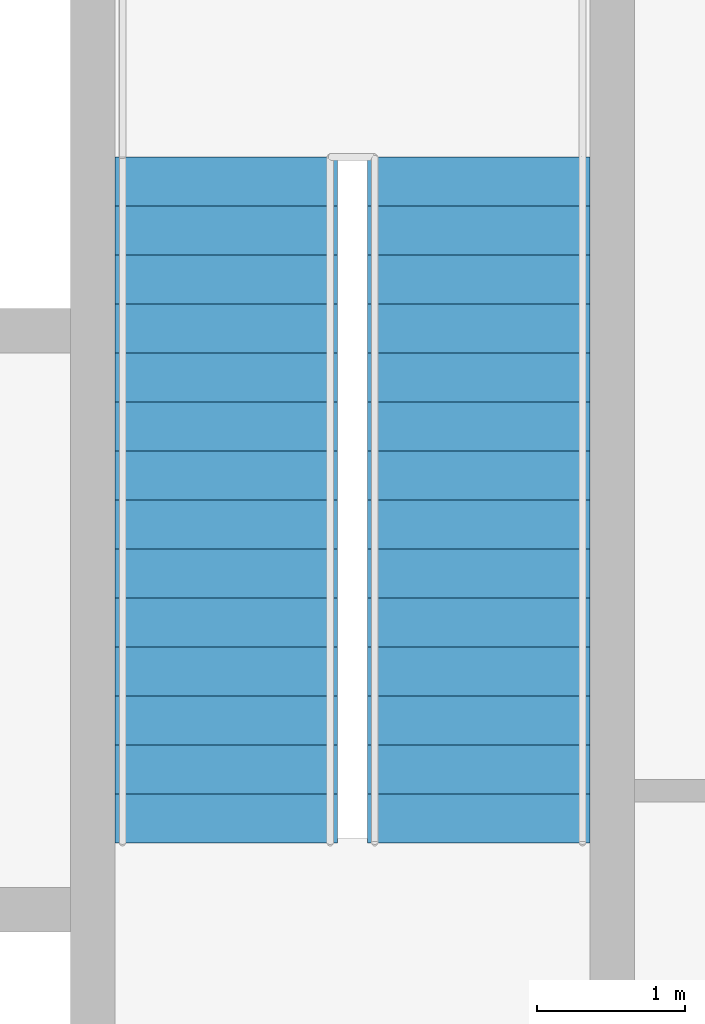
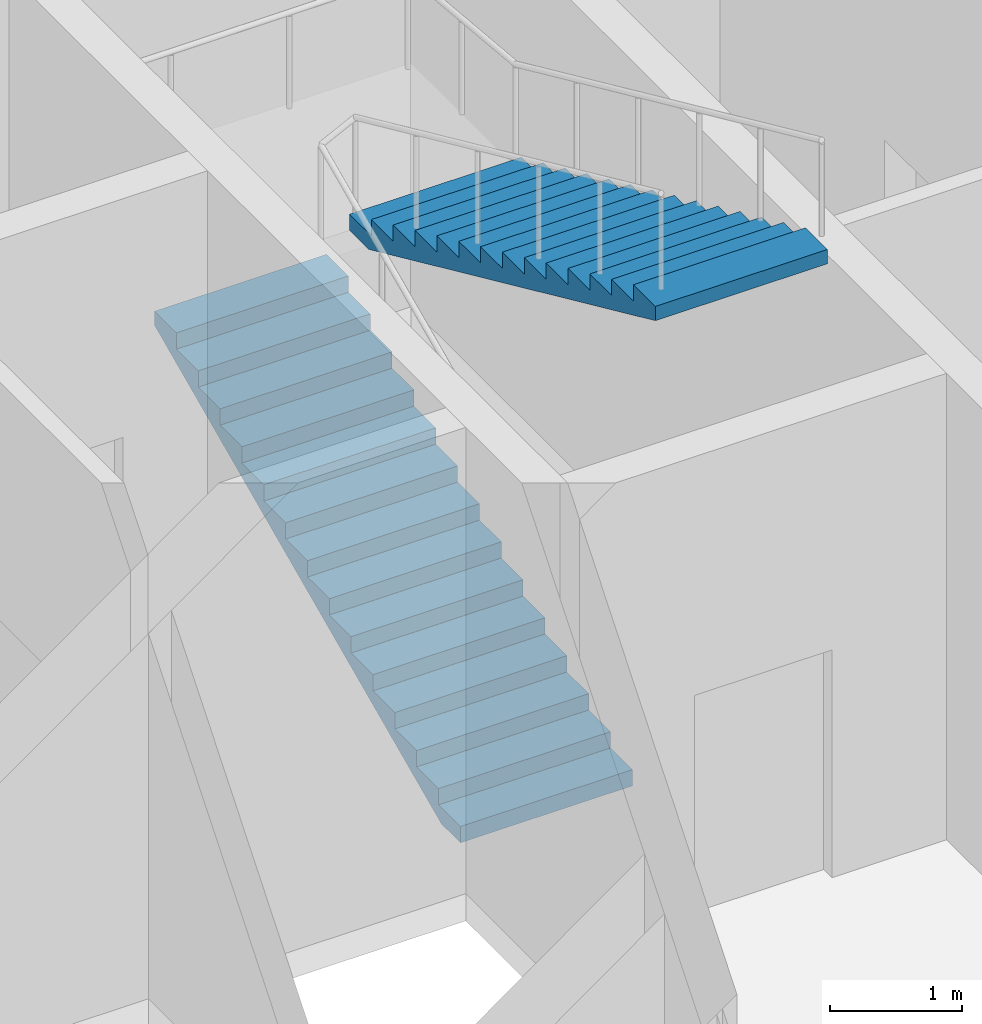
# One storey, part 13 of 14: 2 stair flights, 1 element without a shape of its own.
"""IFC4 building model written with IfcOpenShell, lengths in metres."""

from ifc_helpers import new_model, si_unit, direction, frame, origin, place, context, subcontext, project, spatial, polygons, material, type_object, element, aggregate, save


model = new_model("IFC4")

# Units and contexts
model_context = context("Model", 3, precision=1e-05, world=origin(), true_north=direction((0.0, 1.0)))
body_context = subcontext(model_context, "Body", "Model", "MODEL_VIEW")
ifc_project = project(units=[si_unit("LENGTHUNIT", "METRE"), si_unit("AREAUNIT", "SQUARE_METRE"), si_unit("VOLUMEUNIT", "CUBIC_METRE"), si_unit("PLANEANGLEUNIT", "RADIAN"), si_unit("MASSUNIT", "GRAM", prefix="KILO")], contexts=[model_context])

# Site, building, storey
site_placement = place(None, origin())
site = spatial("IfcSite", under=ifc_project, at=site_placement, CompositionType="ELEMENT")
building_placement = place(site_placement, origin())
building = spatial("IfcBuilding", under=site, at=building_placement, Name="Njiva Tower", CompositionType="ELEMENT")
storey_placement = place(building_placement, frame((0.0, 0.0, 28.8)))
storey = spatial("IfcBuildingStorey", under=building, at=storey_placement, Name="L05", CompositionType="ELEMENT", Elevation=28.8)

# Stair, stair flights
ifc_material = material(Name="Concrete C40/50", Category="concrete")
stair_type = type_object("IfcStairType", Name="ST4 Exit stair 1500", PredefinedType="HALF_TURN_STAIR", material=ifc_material)
stair_placement = place(storey_placement, origin())
stair = element("IfcStair", 1, at=stair_placement, inside=storey, type_object=stair_type, Name="Stair B", PredefinedType="HALF_TURN_STAIR")
stair_flight_type = type_object("IfcStairFlightType", Name="FL4 Stair flight 1500", PredefinedType="STRAIGHT", material=ifc_material)
stair_flight_1_placement = place(storey_placement, frame((11.75, 11.1, 0.0), z_axis=(0.0, 0.0, 1.0), x_axis=(0.0, 1.0, 0.0)))
stair_flight_1 = element("IfcStairFlight", 2, at=stair_flight_1_placement, type_object=stair_flight_type, Name="ST-B flight 1", NumberOfRisers=15, NumberOfTreads=14, PredefinedType="STRAIGHT", RiserHeight=0.15, TreadLength=0.33, context=body_context, shape_type="Tessellation", body=[
    polygons([(0.0, 0.75, 0.0), (0.0, 0.375, 0.0), (0.0, 0.0, 0.0), (0.0, -0.375, 0.0), (0.0, -0.75, 0.0), (0.0, 0.75, 0.15), (0.0, 0.375, 0.15), (0.0, 0.0, 0.15), (0.0, -0.375, 0.15), (0.0, -0.75, 0.15), (0.33, 0.75, 0.15), (0.33, 0.375, 0.15), (0.33, 0.0, 0.15), (0.33, -0.375, 0.15), (0.33, -0.75, 0.15), (0.33, 0.75, 0.3), (0.33, 0.375, 0.3), (0.33, 0.0, 0.3), (0.33, -0.375, 0.3), (0.33, -0.75, 0.3), (0.66, 0.75, 0.3), (0.66, 0.375, 0.3), (0.66, 0.0, 0.3), (0.66, -0.375, 0.3), (0.66, -0.75, 0.3), (0.66, 0.75, 0.45), (0.66, 0.375, 0.45), (0.66, 0.0, 0.45), (0.66, -0.375, 0.45), (0.66, -0.75, 0.45), (0.99, 0.75, 0.45), (0.99, 0.375, 0.45), (0.99, 0.0, 0.45), (0.99, -0.375, 0.45), (0.99, -0.75, 0.45), (0.99, 0.75, 0.6), (0.99, 0.375, 0.6), (0.99, 0.0, 0.6), (0.99, -0.375, 0.6), (0.99, -0.75, 0.6), (1.32, 0.75, 0.6), (1.32, 0.375, 0.6), (1.32, 0.0, 0.6), (1.32, -0.375, 0.6), (1.32, -0.75, 0.6), (1.32, 0.75, 0.75), (1.32, 0.375, 0.75), (1.32, 0.0, 0.75), (1.32, -0.375, 0.75), (1.32, -0.75, 0.75), (1.65, 0.75, 0.75), (1.65, 0.375, 0.75), (1.65, 0.0, 0.75), (1.65, -0.375, 0.75), (1.65, -0.75, 0.75), (1.65, 0.75, 0.9), (1.65, 0.375, 0.9), (1.65, 0.0, 0.9), (1.65, -0.375, 0.9), (1.65, -0.75, 0.9), (1.98, 0.75, 0.9), (1.98, 0.375, 0.9), (1.98, 0.0, 0.9), (1.98, -0.375, 0.9), (1.98, -0.75, 0.9), (1.98, 0.75, 1.05), (1.98, 0.375, 1.05), (1.98, 0.0, 1.05), (1.98, -0.375, 1.05), (1.98, -0.75, 1.05), (2.31, 0.75, 1.05), (2.31, 0.375, 1.05), (2.31, 0.0, 1.05), (2.31, -0.375, 1.05), (2.31, -0.75, 1.05), (2.31, 0.75, 1.2), (2.31, 0.375, 1.2), (2.31, 0.0, 1.2), (2.31, -0.375, 1.2), (2.31, -0.75, 1.2), (2.64, 0.75, 1.2), (2.64, 0.375, 1.2), (2.64, 0.0, 1.2), (2.64, -0.375, 1.2), (2.64, -0.75, 1.2), (2.64, 0.75, 1.35), (2.64, 0.375, 1.35), (2.64, 0.0, 1.35), (2.64, -0.375, 1.35), (2.64, -0.75, 1.35), (2.97, 0.75, 1.35), (2.97, 0.375, 1.35), (2.97, 0.0, 1.35), (2.97, -0.375, 1.35), (2.97, -0.75, 1.35), (2.97, 0.75, 1.5), (2.97, 0.375, 1.5), (2.97, 0.0, 1.5), (2.97, -0.375, 1.5), (2.97, -0.75, 1.5), (3.3, 0.75, 1.5), (3.3, 0.375, 1.5), (3.3, 0.0, 1.5), (3.3, -0.375, 1.5), (3.3, -0.75, 1.5), (3.3, 0.75, 1.65), (3.3, 0.375, 1.65), (3.3, 0.0, 1.65), (3.3, -0.375, 1.65), (3.3, -0.75, 1.65), (3.63, 0.75, 1.65), (3.63, 0.375, 1.65), (3.63, 0.0, 1.65), (3.63, -0.375, 1.65), (3.63, -0.75, 1.65), (3.63, 0.75, 1.8), (3.63, 0.375, 1.8), (3.63, 0.0, 1.8), (3.63, -0.375, 1.8), (3.63, -0.75, 1.8), (3.96, 0.75, 1.8), (3.96, 0.375, 1.8), (3.96, 0.0, 1.8), (3.96, -0.375, 1.8), (3.96, -0.75, 1.8), (3.96, 0.75, 1.95), (3.96, 0.375, 1.95), (3.96, 0.0, 1.95), (3.96, -0.375, 1.95), (3.96, -0.75, 1.95), (4.29, 0.75, 1.95), (4.29, 0.375, 1.95), (4.29, 0.0, 1.95), (4.29, -0.375, 1.95), (4.29, -0.75, 1.95), (4.29, 0.75, 2.1), (4.29, 0.375, 2.1), (4.29, 0.0, 2.1), (4.29, -0.375, 2.1), (4.29, -0.75, 2.1), (4.62, 0.75, 2.1), (4.62, 0.375, 2.1), (4.62, 0.0, 2.1), (4.62, -0.375, 2.1), (4.62, -0.75, 2.1), (4.62, 0.75, 1.9682), (4.62, 0.375, 1.9682), (4.62, 0.0, 1.9682), (4.62, -0.375, 1.9682), (4.62, -0.75, 1.9682), (0.29, 0.75, 0.0), (0.29, 0.375, 0.0), (0.29, 0.0, 0.0), (0.29, -0.375, 0.0), (0.29, -0.75, 0.0)], [[[1, 6, 11, 16, 21, 26, 31, 36, 41, 46, 51, 56, 61, 66, 71, 76, 81, 86, 91, 96, 101, 106, 111, 116, 121, 126, 131, 136, 141, 146, 151]], [[155, 150, 145, 140, 135, 130, 125, 120, 115, 110, 105, 100, 95, 90, 85, 80, 75, 70, 65, 60, 55, 50, 45, 40, 35, 30, 25, 20, 15, 10, 5]], [[6, 1, 2, 7]], [[7, 2, 3, 8]], [[8, 3, 4, 9]], [[9, 4, 5, 10]], [[11, 6, 7, 12]], [[12, 7, 8, 13]], [[13, 8, 9, 14]], [[14, 9, 10, 15]], [[16, 11, 12, 17]], [[17, 12, 13, 18]], [[18, 13, 14, 19]], [[19, 14, 15, 20]], [[21, 16, 17, 22]], [[22, 17, 18, 23]], [[23, 18, 19, 24]], [[24, 19, 20, 25]], [[26, 21, 22, 27]], [[27, 22, 23, 28]], [[28, 23, 24, 29]], [[29, 24, 25, 30]], [[31, 26, 27, 32]], [[32, 27, 28, 33]], [[33, 28, 29, 34]], [[34, 29, 30, 35]], [[36, 31, 32, 37]], [[37, 32, 33, 38]], [[38, 33, 34, 39]], [[39, 34, 35, 40]], [[41, 36, 37, 42]], [[42, 37, 38, 43]], [[43, 38, 39, 44]], [[44, 39, 40, 45]], [[46, 41, 42, 47]], [[47, 42, 43, 48]], [[48, 43, 44, 49]], [[49, 44, 45, 50]], [[51, 46, 47, 52]], [[52, 47, 48, 53]], [[53, 48, 49, 54]], [[54, 49, 50, 55]], [[56, 51, 52, 57]], [[57, 52, 53, 58]], [[58, 53, 54, 59]], [[59, 54, 55, 60]], [[61, 56, 57, 62]], [[62, 57, 58, 63]], [[63, 58, 59, 64]], [[64, 59, 60, 65]], [[66, 61, 62, 67]], [[67, 62, 63, 68]], [[68, 63, 64, 69]], [[69, 64, 65, 70]], [[71, 66, 67, 72]], [[72, 67, 68, 73]], [[73, 68, 69, 74]], [[74, 69, 70, 75]], [[76, 71, 72, 77]], [[77, 72, 73, 78]], [[78, 73, 74, 79]], [[79, 74, 75, 80]], [[81, 76, 77, 82]], [[82, 77, 78, 83]], [[83, 78, 79, 84]], [[84, 79, 80, 85]], [[86, 81, 82, 87]], [[87, 82, 83, 88]], [[88, 83, 84, 89]], [[89, 84, 85, 90]], [[91, 86, 87, 92]], [[92, 87, 88, 93]], [[93, 88, 89, 94]], [[94, 89, 90, 95]], [[96, 91, 92, 97]], [[97, 92, 93, 98]], [[98, 93, 94, 99]], [[99, 94, 95, 100]], [[101, 96, 97, 102]], [[102, 97, 98, 103]], [[103, 98, 99, 104]], [[104, 99, 100, 105]], [[106, 101, 102, 107]], [[107, 102, 103, 108]], [[108, 103, 104, 109]], [[109, 104, 105, 110]], [[111, 106, 107, 112]], [[112, 107, 108, 113]], [[113, 108, 109, 114]], [[114, 109, 110, 115]], [[116, 111, 112, 117]], [[117, 112, 113, 118]], [[118, 113, 114, 119]], [[119, 114, 115, 120]], [[121, 116, 117, 122]], [[122, 117, 118, 123]], [[123, 118, 119, 124]], [[124, 119, 120, 125]], [[126, 121, 122, 127]], [[127, 122, 123, 128]], [[128, 123, 124, 129]], [[129, 124, 125, 130]], [[131, 126, 127, 132]], [[132, 127, 128, 133]], [[133, 128, 129, 134]], [[134, 129, 130, 135]], [[136, 131, 132, 137]], [[137, 132, 133, 138]], [[138, 133, 134, 139]], [[139, 134, 135, 140]], [[141, 136, 137, 142]], [[142, 137, 138, 143]], [[143, 138, 139, 144]], [[144, 139, 140, 145]], [[146, 141, 142, 147]], [[147, 142, 143, 148]], [[148, 143, 144, 149]], [[149, 144, 145, 150]], [[151, 146, 147, 152]], [[152, 147, 148, 153]], [[153, 148, 149, 154]], [[154, 149, 150, 155]], [[1, 151, 152, 2]], [[2, 152, 153, 3]], [[3, 153, 154, 4]], [[4, 154, 155, 5]]], closed=True),
])
stair_flight_2_placement = place(storey_placement, frame((13.45, 15.72, 2.25), z_axis=(0.0, 0.0, 1.0), x_axis=(0.0, -1.0, 0.0)))
stair_flight_2 = element("IfcStairFlight", 3, at=stair_flight_2_placement, type_object=stair_flight_type, Name="ST-B flight 2", NumberOfRisers=15, NumberOfTreads=14, PredefinedType="STRAIGHT", RiserHeight=0.15, TreadLength=0.33, context=body_context, shape_type="Tessellation", body=[
    polygons([(0.0, 0.75, 0.0), (0.0, 0.375, 0.0), (0.0, 0.0, 0.0), (0.0, -0.375, 0.0), (0.0, -0.75, 0.0), (0.0, 0.75, 0.15), (0.0, 0.375, 0.15), (0.0, 0.0, 0.15), (0.0, -0.375, 0.15), (0.0, -0.75, 0.15), (0.33, 0.75, 0.15), (0.33, 0.375, 0.15), (0.33, 0.0, 0.15), (0.33, -0.375, 0.15), (0.33, -0.75, 0.15), (0.33, 0.75, 0.3), (0.33, 0.375, 0.3), (0.33, 0.0, 0.3), (0.33, -0.375, 0.3), (0.33, -0.75, 0.3), (0.66, 0.75, 0.3), (0.66, 0.375, 0.3), (0.66, 0.0, 0.3), (0.66, -0.375, 0.3), (0.66, -0.75, 0.3), (0.66, 0.75, 0.45), (0.66, 0.375, 0.45), (0.66, 0.0, 0.45), (0.66, -0.375, 0.45), (0.66, -0.75, 0.45), (0.99, 0.75, 0.45), (0.99, 0.375, 0.45), (0.99, 0.0, 0.45), (0.99, -0.375, 0.45), (0.99, -0.75, 0.45), (0.99, 0.75, 0.6), (0.99, 0.375, 0.6), (0.99, 0.0, 0.6), (0.99, -0.375, 0.6), (0.99, -0.75, 0.6), (1.32, 0.75, 0.6), (1.32, 0.375, 0.6), (1.32, 0.0, 0.6), (1.32, -0.375, 0.6), (1.32, -0.75, 0.6), (1.32, 0.75, 0.75), (1.32, 0.375, 0.75), (1.32, 0.0, 0.75), (1.32, -0.375, 0.75), (1.32, -0.75, 0.75), (1.65, 0.75, 0.75), (1.65, 0.375, 0.75), (1.65, 0.0, 0.75), (1.65, -0.375, 0.75), (1.65, -0.75, 0.75), (1.65, 0.75, 0.9), (1.65, 0.375, 0.9), (1.65, 0.0, 0.9), (1.65, -0.375, 0.9), (1.65, -0.75, 0.9), (1.98, 0.75, 0.9), (1.98, 0.375, 0.9), (1.98, 0.0, 0.9), (1.98, -0.375, 0.9), (1.98, -0.75, 0.9), (1.98, 0.75, 1.05), (1.98, 0.375, 1.05), (1.98, 0.0, 1.05), (1.98, -0.375, 1.05), (1.98, -0.75, 1.05), (2.31, 0.75, 1.05), (2.31, 0.375, 1.05), (2.31, 0.0, 1.05), (2.31, -0.375, 1.05), (2.31, -0.75, 1.05), (2.31, 0.75, 1.2), (2.31, 0.375, 1.2), (2.31, 0.0, 1.2), (2.31, -0.375, 1.2), (2.31, -0.75, 1.2), (2.64, 0.75, 1.2), (2.64, 0.375, 1.2), (2.64, 0.0, 1.2), (2.64, -0.375, 1.2), (2.64, -0.75, 1.2), (2.64, 0.75, 1.35), (2.64, 0.375, 1.35), (2.64, 0.0, 1.35), (2.64, -0.375, 1.35), (2.64, -0.75, 1.35), (2.97, 0.75, 1.35), (2.97, 0.375, 1.35), (2.97, 0.0, 1.35), (2.97, -0.375, 1.35), (2.97, -0.75, 1.35), (2.97, 0.75, 1.5), (2.97, 0.375, 1.5), (2.97, 0.0, 1.5), (2.97, -0.375, 1.5), (2.97, -0.75, 1.5), (3.3, 0.75, 1.5), (3.3, 0.375, 1.5), (3.3, 0.0, 1.5), (3.3, -0.375, 1.5), (3.3, -0.75, 1.5), (3.3, 0.75, 1.65), (3.3, 0.375, 1.65), (3.3, 0.0, 1.65), (3.3, -0.375, 1.65), (3.3, -0.75, 1.65), (3.63, 0.75, 1.65), (3.63, 0.375, 1.65), (3.63, 0.0, 1.65), (3.63, -0.375, 1.65), (3.63, -0.75, 1.65), (3.63, 0.75, 1.8), (3.63, 0.375, 1.8), (3.63, 0.0, 1.8), (3.63, -0.375, 1.8), (3.63, -0.75, 1.8), (3.96, 0.75, 1.8), (3.96, 0.375, 1.8), (3.96, 0.0, 1.8), (3.96, -0.375, 1.8), (3.96, -0.75, 1.8), (3.96, 0.75, 1.95), (3.96, 0.375, 1.95), (3.96, 0.0, 1.95), (3.96, -0.375, 1.95), (3.96, -0.75, 1.95), (4.29, 0.75, 1.95), (4.29, 0.375, 1.95), (4.29, 0.0, 1.95), (4.29, -0.375, 1.95), (4.29, -0.75, 1.95), (4.29, 0.75, 2.1), (4.29, 0.375, 2.1), (4.29, 0.0, 2.1), (4.29, -0.375, 2.1), (4.29, -0.75, 2.1), (4.62, 0.75, 2.1), (4.62, 0.375, 2.1), (4.62, 0.0, 2.1), (4.62, -0.375, 2.1), (4.62, -0.75, 2.1), (4.62, 0.75, 1.9682), (4.62, 0.375, 1.9682), (4.62, 0.0, 1.9682), (4.62, -0.375, 1.9682), (4.62, -0.75, 1.9682), (0.29, 0.75, 0.0), (0.29, 0.375, 0.0), (0.29, 0.0, 0.0), (0.29, -0.375, 0.0), (0.29, -0.75, 0.0)], [[[1, 6, 11, 16, 21, 26, 31, 36, 41, 46, 51, 56, 61, 66, 71, 76, 81, 86, 91, 96, 101, 106, 111, 116, 121, 126, 131, 136, 141, 146, 151]], [[155, 150, 145, 140, 135, 130, 125, 120, 115, 110, 105, 100, 95, 90, 85, 80, 75, 70, 65, 60, 55, 50, 45, 40, 35, 30, 25, 20, 15, 10, 5]], [[6, 1, 2, 7]], [[7, 2, 3, 8]], [[8, 3, 4, 9]], [[9, 4, 5, 10]], [[11, 6, 7, 12]], [[12, 7, 8, 13]], [[13, 8, 9, 14]], [[14, 9, 10, 15]], [[16, 11, 12, 17]], [[17, 12, 13, 18]], [[18, 13, 14, 19]], [[19, 14, 15, 20]], [[21, 16, 17, 22]], [[22, 17, 18, 23]], [[23, 18, 19, 24]], [[24, 19, 20, 25]], [[26, 21, 22, 27]], [[27, 22, 23, 28]], [[28, 23, 24, 29]], [[29, 24, 25, 30]], [[31, 26, 27, 32]], [[32, 27, 28, 33]], [[33, 28, 29, 34]], [[34, 29, 30, 35]], [[36, 31, 32, 37]], [[37, 32, 33, 38]], [[38, 33, 34, 39]], [[39, 34, 35, 40]], [[41, 36, 37, 42]], [[42, 37, 38, 43]], [[43, 38, 39, 44]], [[44, 39, 40, 45]], [[46, 41, 42, 47]], [[47, 42, 43, 48]], [[48, 43, 44, 49]], [[49, 44, 45, 50]], [[51, 46, 47, 52]], [[52, 47, 48, 53]], [[53, 48, 49, 54]], [[54, 49, 50, 55]], [[56, 51, 52, 57]], [[57, 52, 53, 58]], [[58, 53, 54, 59]], [[59, 54, 55, 60]], [[61, 56, 57, 62]], [[62, 57, 58, 63]], [[63, 58, 59, 64]], [[64, 59, 60, 65]], [[66, 61, 62, 67]], [[67, 62, 63, 68]], [[68, 63, 64, 69]], [[69, 64, 65, 70]], [[71, 66, 67, 72]], [[72, 67, 68, 73]], [[73, 68, 69, 74]], [[74, 69, 70, 75]], [[76, 71, 72, 77]], [[77, 72, 73, 78]], [[78, 73, 74, 79]], [[79, 74, 75, 80]], [[81, 76, 77, 82]], [[82, 77, 78, 83]], [[83, 78, 79, 84]], [[84, 79, 80, 85]], [[86, 81, 82, 87]], [[87, 82, 83, 88]], [[88, 83, 84, 89]], [[89, 84, 85, 90]], [[91, 86, 87, 92]], [[92, 87, 88, 93]], [[93, 88, 89, 94]], [[94, 89, 90, 95]], [[96, 91, 92, 97]], [[97, 92, 93, 98]], [[98, 93, 94, 99]], [[99, 94, 95, 100]], [[101, 96, 97, 102]], [[102, 97, 98, 103]], [[103, 98, 99, 104]], [[104, 99, 100, 105]], [[106, 101, 102, 107]], [[107, 102, 103, 108]], [[108, 103, 104, 109]], [[109, 104, 105, 110]], [[111, 106, 107, 112]], [[112, 107, 108, 113]], [[113, 108, 109, 114]], [[114, 109, 110, 115]], [[116, 111, 112, 117]], [[117, 112, 113, 118]], [[118, 113, 114, 119]], [[119, 114, 115, 120]], [[121, 116, 117, 122]], [[122, 117, 118, 123]], [[123, 118, 119, 124]], [[124, 119, 120, 125]], [[126, 121, 122, 127]], [[127, 122, 123, 128]], [[128, 123, 124, 129]], [[129, 124, 125, 130]], [[131, 126, 127, 132]], [[132, 127, 128, 133]], [[133, 128, 129, 134]], [[134, 129, 130, 135]], [[136, 131, 132, 137]], [[137, 132, 133, 138]], [[138, 133, 134, 139]], [[139, 134, 135, 140]], [[141, 136, 137, 142]], [[142, 137, 138, 143]], [[143, 138, 139, 144]], [[144, 139, 140, 145]], [[146, 141, 142, 147]], [[147, 142, 143, 148]], [[148, 143, 144, 149]], [[149, 144, 145, 150]], [[151, 146, 147, 152]], [[152, 147, 148, 153]], [[153, 148, 149, 154]], [[154, 149, 150, 155]], [[1, 151, 152, 2]], [[2, 152, 153, 3]], [[3, 153, 154, 4]], [[4, 154, 155, 5]]], closed=True),
])
aggregate(stair, [stair_flight_1, stair_flight_2])

save(model, "model.ifc")
